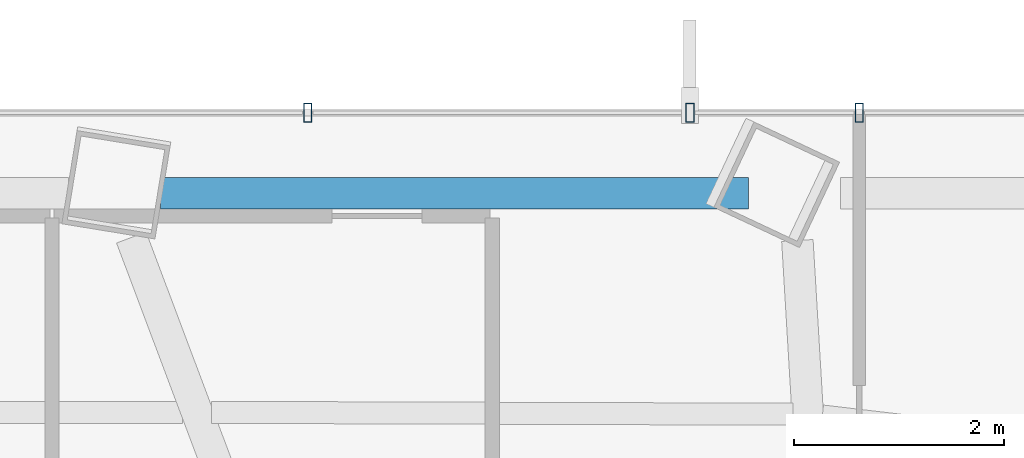
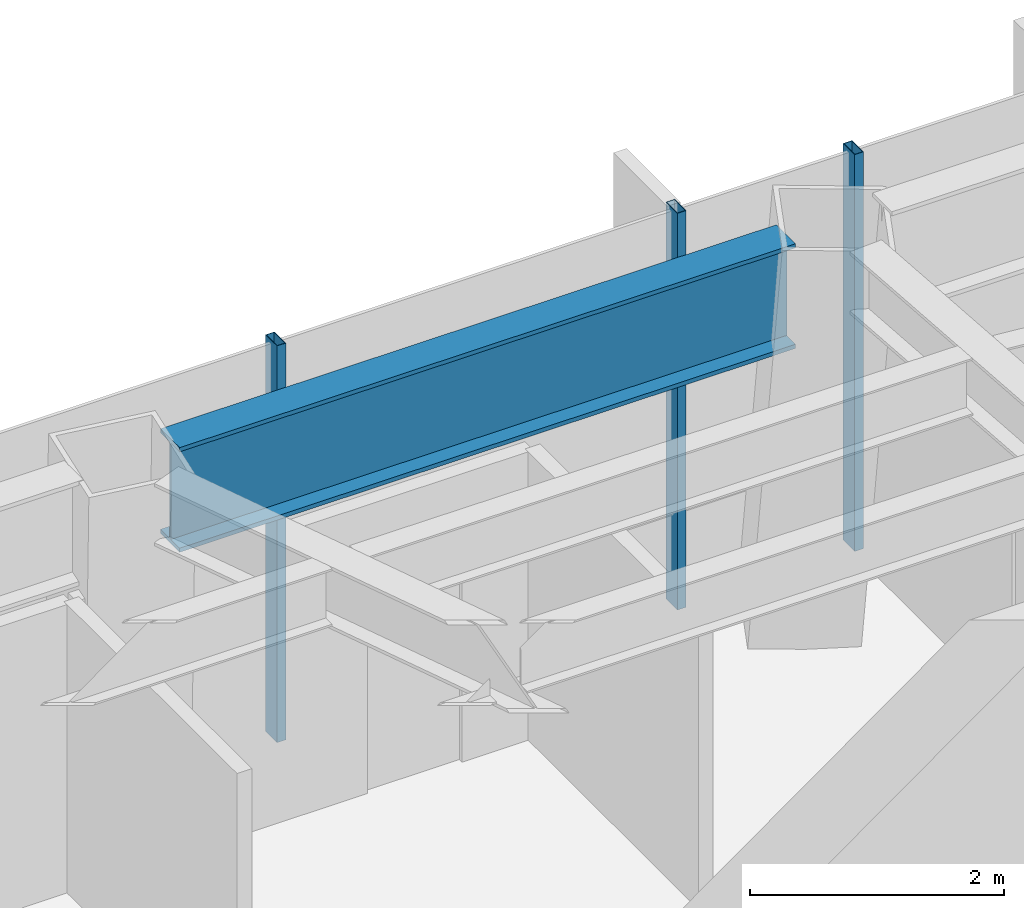
# One storey, part 16 of 27: 3 members, 1 beam, 1 element without a shape of its own.
"""IFC4 building model written with IfcOpenShell, lengths in metres."""

import ifcopenshell
import ifcopenshell.guid

model = None  # the IFC model being written
_history = None  # IfcOwnerHistory: only IFC2X3 demands one
_inside = {}  # id of a spatial element -> (the spatial element, [elements in it])
_under = {}  # id of a project, library or spatial element -> (it, [spatial elements below it])
_declared = {}  # id of a project -> (the project, [libraries it declares])
_typed = {}  # id of a type object -> (the type object, [elements of that type])
_made_of = {}  # id of a material, layer set ... -> (it, [elements and type objects made of it])


def new_model(schema):
    """Start an empty IFC model of exactly this schema.

    Asked for "IFC4X3", IfcOpenShell would pick the latest addendum, in which some entities
    have other attributes; the version numbers below select the first issue.
    IFC2X3 requires an IfcOwnerHistory on every rooted entity: one is made here for all.
    """
    global model, _history
    if schema == "IFC4X3":
        model = ifcopenshell.file(schema_version=(4, 3, 0, 0))
    else:
        model = ifcopenshell.file(schema=schema)
    _inside.clear()
    _under.clear()
    _declared.clear()
    _typed.clear()
    _made_of.clear()
    _history = None
    if model.schema == "IFC2X3":
        org = make("IfcOrganization", Name="unknown")
        user = make(
            "IfcPersonAndOrganization",
            ThePerson=make("IfcPerson", FamilyName="unknown"),
            TheOrganization=org,
        )
        app = make(
            "IfcApplication",
            ApplicationDeveloper=org,
            Version="unknown",
            ApplicationFullName="unknown",
            ApplicationIdentifier="unknown",
        )
        _history = make(
            "IfcOwnerHistory",
            OwningUser=user,
            OwningApplication=app,
            ChangeAction="ADDED",
            CreationDate=0,
        )
    return model


def make(cls, **values):
    """One entity of the class cls with the attributes given. An attribute that is None is left unset."""
    return model.create_entity(
        cls, **{name: value for name, value in values.items() if value is not None}
    )


def rooted(cls, **values):
    """An entity with a GlobalId (a new one), such as an element, a storey or a relation."""
    return make(cls, GlobalId=ifcopenshell.guid.new(), OwnerHistory=_history, **values)


def si_unit(unit_type, name, prefix=None):
    """IfcSIUnit, for example si_unit("LENGTHUNIT", "METRE", prefix="MILLI")."""
    return make("IfcSIUnit", UnitType=unit_type, Prefix=prefix, Name=name)


def assignment(units):
    """IfcUnitAssignment: the units of a project."""
    return None if units is None else make("IfcUnitAssignment", Units=units)


def point(xyz):
    """IfcCartesianPoint."""
    return None if xyz is None else make("IfcCartesianPoint", Coordinates=xyz)


def direction(xyz):
    """IfcDirection."""
    return None if xyz is None else make("IfcDirection", DirectionRatios=xyz)


def frame(location, z_axis=None, x_axis=None):
    """IfcAxis2Placement3D, a coordinate frame: its origin and axes. An axis left out is left unset."""
    return make(
        "IfcAxis2Placement3D",
        Location=point(location),
        Axis=direction(z_axis),
        RefDirection=direction(x_axis),
    )


def frame_2d(location, x_axis=None):
    """IfcAxis2Placement2D, a coordinate frame in the plane: its origin and x axis."""
    return make(
        "IfcAxis2Placement2D", Location=point(location), RefDirection=direction(x_axis)
    )


def origin():
    """The frame at (0, 0, 0) with its axes left unset."""
    return frame((0.0, 0.0, 0.0))


def origin_2d():
    """The frame at (0, 0) in the plane with its x axis left unset."""
    return frame_2d((0.0, 0.0))


def place(relative_to, where):
    """IfcLocalPlacement: puts the frame where relative to a parent placement (None: the world)."""
    return make(
        "IfcLocalPlacement", PlacementRelTo=relative_to, RelativePlacement=where
    )


def context(
    kind, dimensions, precision=None, world=None, true_north=None, identifier=None
):
    """IfcGeometricRepresentationContext, for example the 3D "Model" context."""
    return make(
        "IfcGeometricRepresentationContext",
        ContextIdentifier=identifier,
        ContextType=kind,
        CoordinateSpaceDimension=dimensions,
        Precision=precision,
        WorldCoordinateSystem=world,
        TrueNorth=true_north,
    )


def subcontext(parent, identifier, kind, view, scale=None):
    """IfcGeometricRepresentationSubContext, for example "Body" below "Model"."""
    return make(
        "IfcGeometricRepresentationSubContext",
        ContextIdentifier=identifier,
        ContextType=kind,
        ParentContext=parent,
        TargetScale=scale,
        TargetView=view,
    )


def project(units=None, contexts=None):
    """IfcProject with its units and contexts."""
    return rooted(
        "IfcProject",
        Name="project",
        RepresentationContexts=contexts,
        UnitsInContext=assignment(units),
    )


def spatial(cls, under=None, at=None, **own):
    """A site, building, storey or space (cls), placed at a placement, below another one or the project."""
    s = rooted(cls, ObjectPlacement=at, **own)
    if under is not None:
        _under.setdefault(under.id(), (under, []))[1].append(s)
    return s


def profile(cls, at=None, kind="AREA", **sizes):
    """A parametric profile (cls). Its sizes go by their IFC names, for example OverallWidth=200.0."""
    return make(cls, ProfileType=kind, Position=at, **sizes)


def hollow_rectangle(**sizes):
    """IfcRectangleHollowProfileDef."""
    return profile("IfcRectangleHollowProfileDef", **sizes)


def i_section(**sizes):
    """IfcIShapeProfileDef."""
    return profile("IfcIShapeProfileDef", **sizes)


def extrude(swept, where, along, depth):
    """IfcExtrudedAreaSolid: the profile swept, set in the frame where, extruded along a direction by depth."""
    return make(
        "IfcExtrudedAreaSolid",
        SweptArea=swept,
        Position=where,
        ExtrudedDirection=direction(along),
        Depth=depth,
    )


def shape(context_of_items, identifier, shape_type, items):
    """IfcShapeRepresentation: the items that make up one representation, for example the "Body"."""
    return make(
        "IfcShapeRepresentation",
        ContextOfItems=context_of_items,
        RepresentationIdentifier=identifier,
        RepresentationType=shape_type,
        Items=items,
    )


def material(Name=None, Category=None):
    """IfcMaterial."""
    return make("IfcMaterial", Name=Name, Category=Category)


def layer(
    of_material, thickness, ventilated=None, Name=None, Category=None, Priority=None
):
    """IfcMaterialLayer: one layer of a wall or slab, of a material (None: an air gap)."""
    return make(
        "IfcMaterialLayer",
        Material=of_material,
        LayerThickness=thickness,
        IsVentilated=ventilated,
        Name=Name,
        Category=Category,
        Priority=Priority,
    )


def layer_set(layers, Name=None):
    """IfcMaterialLayerSet."""
    return make("IfcMaterialLayerSet", MaterialLayers=layers, LayerSetName=Name)


def material_profile(
    of_material, cross_section, Name=None, Category=None, Priority=None
):
    """IfcMaterialProfile: a cross section and its material."""
    return make(
        "IfcMaterialProfile",
        Name=Name,
        Material=of_material,
        Profile=cross_section,
        Priority=Priority,
        Category=Category,
    )


def profile_set(profiles, Name=None, composite=None):
    """IfcMaterialProfileSet."""
    return make(
        "IfcMaterialProfileSet",
        Name=Name,
        MaterialProfiles=profiles,
        CompositeProfile=composite,
    )


def made_of(thing, what):
    """Note that an element or type object is made of a material, layer set ...; save() writes the relation."""
    if what is not None:
        _made_of.setdefault(what.id(), (what, []))[1].append(thing)
    return thing


def type_object(cls, material=None, **own):
    """A type object (cls), such as IfcWallType, which elements share."""
    return made_of(rooted(cls, **own), material)


def element(
    cls,
    number,
    at=None,
    inside=None,
    cuts=None,
    type_object=None,
    material=None,
    context=None,
    identifier="Body",
    shape_type=None,
    held_by="IfcProductDefinitionShape",
    body=None,
    shapes=None,
    **own,
):
    """One element of the class cls, such as IfcWall. Its Tag is "e" and its number.

    at: its placement. inside: the storey or other place that contains it. cuts: it is an
    opening in that element (IfcRelVoidsElement). A single representation is given by context,
    identifier, shape_type and body (its items); several are given by shapes. held_by: the class
    of the entity that holds the representations. save() writes the other relations.
    """
    e = rooted(cls, Tag="e%d" % number, ObjectPlacement=at, **own)
    if body is not None:
        shapes = [shape(context, identifier, shape_type, body)]
    if shapes is not None:
        e.Representation = make(held_by, Representations=shapes)
    if inside is not None:
        _inside.setdefault(inside.id(), (inside, []))[1].append(e)
    if cuts is not None:
        rooted(
            "IfcRelVoidsElement", RelatingBuildingElement=cuts, RelatedOpeningElement=e
        )
    if type_object is not None:
        _typed.setdefault(type_object.id(), (type_object, []))[1].append(e)
    return made_of(e, material)


def aggregate(whole, parts):
    """IfcRelAggregates: a whole, such as a stair, and the parts it consists of."""
    return rooted("IfcRelAggregates", RelatingObject=whole, RelatedObjects=parts)


def save(model, path):
    """Write the relations noted so far, then the file.

    IfcRelAggregates (storeys below a building ...), IfcRelContainedInSpatialStructure (elements
    in a storey), IfcRelDefinesByType, IfcRelAssociatesMaterial and IfcRelDeclares: one each for
    every whole, place, type object, material and project.
    """
    for whole, parts in _under.values():
        aggregate(whole, parts)
    for where, things in _inside.values():
        rooted(
            "IfcRelContainedInSpatialStructure",
            RelatedElements=things,
            RelatingStructure=where,
        )
    for kind, things in _typed.values():
        rooted("IfcRelDefinesByType", RelatedObjects=things, RelatingType=kind)
    for what, things in _made_of.values():
        rooted("IfcRelAssociatesMaterial", RelatedObjects=things, RelatingMaterial=what)
    for by, libraries in _declared.values():
        rooted("IfcRelDeclares", RelatingContext=by, RelatedDefinitions=libraries)
    model.write(path)


model = new_model("IFC4")

# Units and contexts
model_context = context("Model", 3, precision=1e-05, world=origin(), true_north=direction((0.0, 1.0)))
body_context = subcontext(model_context, "Body", "Model", "MODEL_VIEW")
ifc_project = project(units=[si_unit("LENGTHUNIT", "METRE"), si_unit("AREAUNIT", "SQUARE_METRE"), si_unit("VOLUMEUNIT", "CUBIC_METRE"), si_unit("PLANEANGLEUNIT", "RADIAN"), si_unit("MASSUNIT", "GRAM", prefix="KILO")], contexts=[model_context])

# Site, building, storey
site_placement = place(None, origin())
site = spatial("IfcSite", under=ifc_project, at=site_placement, CompositionType="ELEMENT")
building_placement = place(site_placement, origin())
building = spatial("IfcBuilding", under=site, at=building_placement, Name="Zarrinselat Tower", CompositionType="ELEMENT")
storey_placement = place(building_placement, frame((0.0, 0.0, 80.580078125)))
storey = spatial("IfcBuildingStorey", under=building, at=storey_placement, Name="L19", CompositionType="ELEMENT", Elevation=80.580078125)

# Beam
ifc_material_1 = material(Name="Steel S460M", Category="steel")
ifc_material_profile_1 = material_profile(ifc_material_1, i_section(OverallWidth=0.302001953125, OverallDepth=1.008056640625, WebThickness=0.02099609375, FlangeThickness=0.0400390625, at=origin_2d()), Name="HEM 1000")
ifc_profile_set_1 = profile_set([ifc_material_profile_1], Name="Steel S460M")
beam_type = type_object("IfcBeamType", Name="BM-HEM1000", PredefinedType="BEAM", material=ifc_profile_set_1)
beam_placement = place(storey_placement, frame((39.43603515625, 48.966796875, 3.31591796875), z_axis=(1.0, 0.0, 0.0), x_axis=(0.0, 1.0, 0.0)))
element("IfcBeam", 1, at=beam_placement, inside=storey, type_object=beam_type, Name="L19 Perimeter Spandrel Girder SP02", PredefinedType="BEAM", context=body_context, shape_type="SweptSolid", body=[
    extrude(i_section(OverallWidth=0.302001953125, OverallDepth=1.008056640625, WebThickness=0.02099609375, FlangeThickness=0.0400390625, at=origin_2d()), origin(), (0.0, 0.0, 1.0), 5.609130859375),
])

# Curtain wall, members
ifc_material_2 = material(Name="Extruded Aluminium Alloy EN AW-6063 T6", Category="aluminium")
ifc_layer = layer(ifc_material_2, 0.18505859375)
ifc_layer_set = layer_set([ifc_layer], Name="Extruded Aluminium Alloy EN AW-6063 T6")
curtain_wall_type = type_object("IfcCurtainWallType", Name="CWS-OFF", PredefinedType="NOTDEFINED", material=ifc_layer_set)
curtain_wall_placement = place(storey_placement, origin())
curtain_wall = element("IfcCurtainWall", 2, at=curtain_wall_placement, inside=storey, type_object=curtain_wall_type, Name="L19 Unitised Curtain Wall CW-L19-E01", PredefinedType="NOTDEFINED")
ifc_material_3 = material(Name="Extruded Aluminium Alloy EN AW-6063 T6", Category="aluminium")
ifc_material_profile_2 = material_profile(ifc_material_3, hollow_rectangle(XDim=0.080078125, YDim=0.179931640625, WallThickness=0.0048828125, at=origin_2d()), Name="RHS 180x80x5")
ifc_profile_set_2 = profile_set([ifc_material_profile_2], Name="Extruded Aluminium Alloy EN AW-6063 T6")
member_type = type_object("IfcMemberType", Name="MEM-CW-MUL", PredefinedType="MULLION", material=ifc_profile_set_2)
member_1_placement = place(storey_placement, frame((46.10009765625, 49.7333984375, 0.0), z_axis=(0.0, 0.0, 1.0), x_axis=(-1.0, 0.0, 0.0)))
member_1 = element("IfcMember", 3, at=member_1_placement, type_object=member_type, Name="CW-L19-E01 Mullion 2", PredefinedType="MULLION", context=body_context, shape_type="SweptSolid", body=[
    extrude(hollow_rectangle(XDim=0.080078125, YDim=0.179931640625, WallThickness=0.0048828125, at=origin_2d()), origin(), (0.0, 0.0, 1.0), 3.81982421875),
])
member_2_placement = place(storey_placement, frame((44.4853515625, 49.7333984375, 0.0), z_axis=(0.0, 0.0, 1.0), x_axis=(-1.0, 0.0, 0.0)))
member_2 = element("IfcMember", 4, at=member_2_placement, type_object=member_type, Name="CW-L19-E01 Mullion 3", PredefinedType="MULLION", context=body_context, shape_type="SweptSolid", body=[
    extrude(hollow_rectangle(XDim=0.080078125, YDim=0.179931640625, WallThickness=0.0048828125, at=origin_2d()), origin(), (0.0, 0.0, 1.0), 3.81982421875),
])
member_3_placement = place(storey_placement, frame((40.83984375, 49.7333984375, 0.0), z_axis=(0.0, 0.0, 1.0), x_axis=(-1.0, 0.0, 0.0)))
member_3 = element("IfcMember", 5, at=member_3_placement, type_object=member_type, Name="CW-L19-E01 Mullion 4", PredefinedType="MULLION", context=body_context, shape_type="SweptSolid", body=[
    extrude(hollow_rectangle(XDim=0.080078125, YDim=0.179931640625, WallThickness=0.0048828125, at=origin_2d()), origin(), (0.0, 0.0, 1.0), 3.81982421875),
])
aggregate(curtain_wall, [member_1, member_2, member_3])

save(model, "model.ifc")
